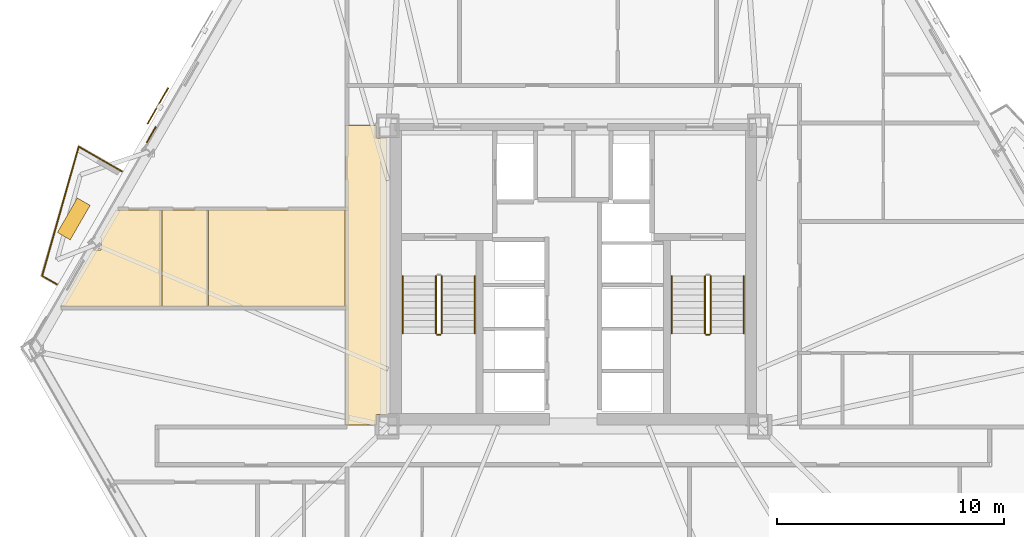
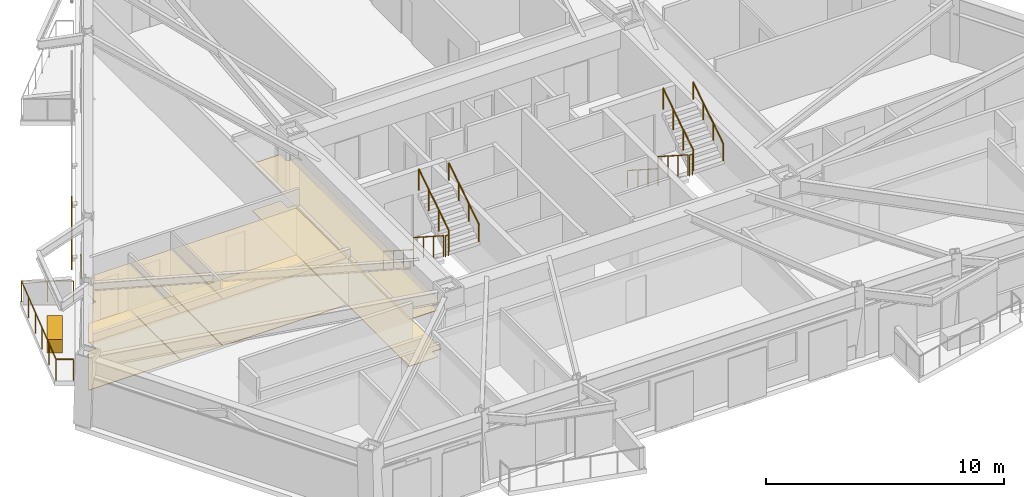
# One storey, part 8 of 10: 13 railings, 10 coverings, 1 shading device.
"""IFC4 building model written with IfcOpenShell, lengths in metres."""

from ifc_helpers import new_model, si_unit, direction, frame, origin, origin_2d, place, context, subcontext, project, spatial, polyline, rectangle, circle, outline, extrude, material, layer, layer_set, type_object, element, save


model = new_model("IFC4")

# Units and contexts
model_context = context("Model", 3, precision=1e-05, world=origin(), true_north=direction((0.0, 1.0)))
body_context = subcontext(model_context, "Body", "Model", "MODEL_VIEW")
ifc_project = project(units=[si_unit("LENGTHUNIT", "METRE"), si_unit("AREAUNIT", "SQUARE_METRE"), si_unit("VOLUMEUNIT", "CUBIC_METRE"), si_unit("PLANEANGLEUNIT", "RADIAN"), si_unit("MASSUNIT", "GRAM", prefix="KILO")], contexts=[model_context])

# Site, building, storey
site_placement = place(None, origin())
site = spatial("IfcSite", under=ifc_project, at=site_placement, CompositionType="ELEMENT")
building_placement = place(site_placement, origin())
building = spatial("IfcBuilding", under=site, at=building_placement, Name="Oramaril Tower", CompositionType="ELEMENT")
storey_placement = place(building_placement, frame((0.0, 0.0, 63.300048828125)))
storey = spatial("IfcBuildingStorey", under=building, at=storey_placement, Name="L16", CompositionType="ELEMENT", Elevation=63.300048828125)

# Coverings
ifc_material_1 = material(Name="Mineral Fibre Acoustic Ceiling")
ifc_layer_1 = layer(ifc_material_1, 0.02001953125)
ifc_layer_set_1 = layer_set([ifc_layer_1], Name="CVT-CEIL")
covering_type_1 = type_object("IfcCoveringType", Name="CVT-CEIL", PredefinedType="CEILING", material=ifc_layer_set_1)
covering_1_placement = place(storey_placement, frame((0.0, 0.0, 2.39990234375)))
element("IfcCovering", 1, at=covering_1_placement, inside=storey, type_object=covering_type_1, Name="L16 Acoustic Suspended Ceiling 3", PredefinedType="CEILING", context=body_context, shape_type="SweptSolid", body=[
    extrude(outline(polyline([(28.85498046875, 23.655029296875), (29.280029296875, 23.655029296875), (29.280029296875, 11.4951171875), (28.85498046875, 11.4951171875), (28.85498046875, 11.050048828125), (27.469970703125, 11.050048828125), (27.469970703125, 24.219970703125), (28.85498046875, 24.219970703125), (28.85498046875, 23.655029296875)])), origin(), (0.0, 0.0, 1.0), 0.02001953125),
])
covering_2_placement = place(storey_placement, frame((0.0, 0.0, 2.39990234375)))
element("IfcCovering", 2, at=covering_2_placement, inside=storey, type_object=covering_type_1, Name="L16 Acoustic Suspended Ceiling 14", PredefinedType="CEILING", context=body_context, shape_type="SweptSolid", body=[
    extrude(outline(polyline([(16.7255859375, 18.73828125), (16.7255859375, 19.286376953125), (16.682373046875, 19.286376953125), (17.377685546875, 20.49072265625), (17.378173828125, 20.490478515625), (17.3798828125, 20.489501953125), (17.3818359375, 20.489013671875), (17.3837890625, 20.48828125), (17.3857421875, 20.488037109375), (17.3876953125, 20.488037109375), (19.392578125, 20.488037109375), (19.392578125, 16.261962890625), (14.936279296875, 16.261962890625), (16.365966796875, 18.73828125), (16.7255859375, 18.73828125)])), origin(), (0.0, 0.0, 1.0), 0.02001953125),
])
covering_3_placement = place(storey_placement, frame((0.0, 0.0, 2.39990234375)))
element("IfcCovering", 3, at=covering_3_placement, inside=storey, type_object=covering_type_1, Name="L16 Acoustic Suspended Ceiling 15", PredefinedType="CEILING", context=body_context, shape_type="SweptSolid", body=[
    extrude(outline(polyline([(21.4423828125, 16.261962890625), (19.41259765625, 16.261962890625), (19.41259765625, 20.488037109375), (21.4423828125, 20.488037109375), (21.4423828125, 16.261962890625)])), origin(), (0.0, 0.0, 1.0), 0.02001953125),
])
covering_4_placement = place(storey_placement, frame((0.0, 0.0, 2.39990234375)))
element("IfcCovering", 4, at=covering_4_placement, inside=storey, type_object=covering_type_1, Name="L16 Acoustic Suspended Ceiling 16", PredefinedType="CEILING", context=body_context, shape_type="SweptSolid", body=[
    extrude(outline(polyline([(21.46240234375, 20.488037109375), (27.449951171875, 20.488037109375), (27.449951171875, 16.261962890625), (21.46240234375, 16.261962890625), (21.46240234375, 20.488037109375)])), origin(), (0.0, 0.0, 1.0), 0.02001953125),
])
ifc_material_2 = material(Name="Warm Cream Limestone", Category="masonry")
ifc_layer_2 = layer(ifc_material_2, 0.050048828125)
ifc_layer_set_2 = layer_set([ifc_layer_2], Name="CVT-CLD")
covering_type_2 = type_object("IfcCoveringType", Name="CVT-CLD", PredefinedType="CLADDING", material=ifc_layer_set_2)
covering_5_placement = place(storey_placement, frame((18.94775390625, 23.81201171875, 0.0400390625), z_axis=(0.0, 0.0, 1.0), x_axis=(-0.4999984885, -0.866026276448, 0.0)))
element("IfcCovering", 5, at=covering_5_placement, inside=storey, type_object=covering_type_2, Name="L16 Warm Cream Limestone Spandrel Cladding", PredefinedType="CLADDING", context=body_context, shape_type="SweptSolid", body=[
    extrude(rectangle(XDim=0.800048828125, YDim=0.050048828125, at=origin_2d()), origin(), (0.0, 0.0, 1.0), 0.679931640625),
])
covering_6_placement = place(storey_placement, frame((15.53369140625, 20.105712890625, 0.0), z_axis=(0.0, 0.0, 1.0), x_axis=(-0.5, -0.866025403784, 0.0)))
element("IfcCovering", 6, at=covering_6_placement, inside=storey, type_object=covering_type_2, Name="L16 Structural Tree Planter Box L16-BAL-NW2", PredefinedType="CLADDING", context=body_context, shape_type="SweptSolid", body=[
    extrude(rectangle(XDim=1.75, YDim=0.64990234375, at=origin_2d()), origin(), (0.0, 0.0, 1.0), 0.699951171875),
])
ifc_material_3 = material(Name="Honed Quartzite Stone Flooring", Category="masonry")
ifc_layer_3 = layer(ifc_material_3, 0.02490234375)
ifc_layer_set_3 = layer_set([ifc_layer_3], Name="CVT-FLR")
covering_type_3 = type_object("IfcCoveringType", Name="CVT-FLR", PredefinedType="FLOORING", material=ifc_layer_set_3)
covering_7_placement = place(storey_placement, origin())
element("IfcCovering", 7, at=covering_7_placement, inside=storey, type_object=covering_type_3, Name="L16 Honed Stone Floor Finish 3", PredefinedType="FLOORING", context=body_context, shape_type="SweptSolid", body=[
    extrude(outline(polyline([(28.85498046875, 23.655029296875), (29.280029296875, 23.655029296875), (29.280029296875, 11.4951171875), (28.85498046875, 11.4951171875), (28.85498046875, 11.050048828125), (27.469970703125, 11.050048828125), (27.469970703125, 24.219970703125), (28.85498046875, 24.219970703125), (28.85498046875, 23.655029296875)])), origin(), (0.0, 0.0, 1.0), 0.02490234375),
])
covering_8_placement = place(storey_placement, origin())
element("IfcCovering", 8, at=covering_8_placement, inside=storey, type_object=covering_type_3, Name="L16 Honed Stone Floor Finish 14", PredefinedType="FLOORING", context=body_context, shape_type="SweptSolid", body=[
    extrude(outline(polyline([(16.7255859375, 18.73828125), (16.7255859375, 19.286376953125), (16.682373046875, 19.286376953125), (17.377685546875, 20.49072265625), (17.378173828125, 20.490478515625), (17.3798828125, 20.489501953125), (17.3818359375, 20.489013671875), (17.3837890625, 20.48828125), (17.3857421875, 20.488037109375), (17.3876953125, 20.488037109375), (19.392578125, 20.488037109375), (19.392578125, 16.261962890625), (14.936279296875, 16.261962890625), (16.365966796875, 18.73828125), (16.7255859375, 18.73828125)])), origin(), (0.0, 0.0, 1.0), 0.02490234375),
])
covering_9_placement = place(storey_placement, origin())
element("IfcCovering", 9, at=covering_9_placement, inside=storey, type_object=covering_type_3, Name="L16 Honed Stone Floor Finish 15", PredefinedType="FLOORING", context=body_context, shape_type="SweptSolid", body=[
    extrude(outline(polyline([(21.4423828125, 16.261962890625), (19.41259765625, 16.261962890625), (19.41259765625, 20.488037109375), (21.4423828125, 20.488037109375), (21.4423828125, 16.261962890625)])), origin(), (0.0, 0.0, 1.0), 0.02490234375),
])
covering_10_placement = place(storey_placement, origin())
element("IfcCovering", 10, at=covering_10_placement, inside=storey, type_object=covering_type_3, Name="L16 Honed Stone Floor Finish 16", PredefinedType="FLOORING", context=body_context, shape_type="SweptSolid", body=[
    extrude(outline(polyline([(21.46240234375, 20.488037109375), (27.449951171875, 20.488037109375), (27.449951171875, 16.261962890625), (21.46240234375, 16.261962890625), (21.46240234375, 20.488037109375)])), origin(), (0.0, 0.0, 1.0), 0.02490234375),
])

# Railings
ifc_material_4 = material(Name="Stainless Steel 316L", Category="steel")
railing_type_1 = type_object("IfcRailingType", Name="RLT-GRD", PredefinedType="GUARDRAIL", material=ifc_material_4)
railing_1_placement = place(storey_placement, frame((14.7841796875, 17.23046875, 0.0)))
element("IfcRailing", 11, at=railing_1_placement, inside=storey, type_object=railing_type_1, Name="L16 Balcony Guardrail L16-BAL-NW2.1", PredefinedType="GUARDRAIL", context=body_context, shape_type="SweptSolid", body=[
    extrude(circle(Radius=0.02392578125, at=origin_2d()), frame((0.0, 0.0, 1.076171875), z_axis=(-0.865966403178, 0.500102178127, 0.0), x_axis=(-0.500102178127, -0.865966403178, 0.0)), (0.0, 0.0, 1.0), 0.741943359375),
    extrude(circle(Radius=0.02099609375, at=origin_2d()), origin(), (0.0, 0.0, 1.0), 1.052001953125),
    extrude(circle(Radius=0.02099609375, at=origin_2d()), frame((-0.642578125, 0.37109375, 0.0)), (0.0, 0.0, 1.0), 1.052001953125),
])
railing_2_placement = place(storey_placement, frame((14.1416015625, 17.6015625, 0.0)))
element("IfcRailing", 12, at=railing_2_placement, inside=storey, type_object=railing_type_1, Name="L16 Balcony Guardrail L16-BAL-NW2.2", PredefinedType="GUARDRAIL", context=body_context, shape_type="SweptSolid", body=[
    extrude(circle(Radius=0.02392578125, at=origin_2d()), frame((0.0, 0.0, 1.076171875), z_axis=(0.27224886544, 0.962226873074, 0.0), x_axis=(-0.962226873074, 0.27224886544, 0.0)), (0.0, 0.0, 1.0), 5.910400390625),
    extrude(circle(Radius=0.02099609375, at=origin_2d()), origin(), (0.0, 0.0, 1.0), 1.052001953125),
    extrude(circle(Radius=0.02099609375, at=origin_2d()), frame((0.32177734375, 1.137451171875, 0.0)), (0.0, 0.0, 1.0), 1.052001953125),
    extrude(circle(Radius=0.02099609375, at=origin_2d()), frame((0.6435546875, 2.27490234375, 0.0)), (0.0, 0.0, 1.0), 1.052001953125),
    extrude(circle(Radius=0.02099609375, at=origin_2d()), frame((0.965576171875, 3.412353515625, 0.0)), (0.0, 0.0, 1.0), 1.052001953125),
    extrude(circle(Radius=0.02099609375, at=origin_2d()), frame((1.287353515625, 4.5498046875, 0.0)), (0.0, 0.0, 1.0), 1.052001953125),
    extrude(circle(Radius=0.02099609375, at=origin_2d()), frame((1.609130859375, 5.687255859375, 0.0)), (0.0, 0.0, 1.0), 1.052001953125),
])
railing_3_placement = place(storey_placement, frame((15.750732421875, 23.288818359375, 0.0)))
element("IfcRailing", 13, at=railing_3_placement, inside=storey, type_object=railing_type_1, Name="L16 Balcony Guardrail L16-BAL-NW2.3", PredefinedType="GUARDRAIL", context=body_context, shape_type="SweptSolid", body=[
    extrude(circle(Radius=0.02392578125, at=origin_2d()), frame((0.0, 0.0, 1.076171875), z_axis=(0.866000118559, -0.500043792738, 0.0), x_axis=(0.500043792738, 0.866000118559, 0.0)), (0.0, 0.0, 1.0), 2.192138671875),
    extrude(circle(Radius=0.02099609375, at=origin_2d()), origin(), (0.0, 0.0, 1.0), 1.052001953125),
    extrude(circle(Radius=0.02099609375, at=origin_2d()), frame((0.94921875, -0.548095703125, 0.0)), (0.0, 0.0, 1.0), 1.052001953125),
    extrude(circle(Radius=0.02099609375, at=origin_2d()), frame((1.8984375, -1.09619140625, 0.0)), (0.0, 0.0, 1.0), 1.052001953125),
])
railing_4_placement = place(storey_placement, frame((31.4599609375, 17.590087890625, 0.179931640625)))
element("IfcRailing", 14, at=railing_4_placement, inside=storey, type_object=railing_type_1, Name="L16 ST-1 stair guard 1", PredefinedType="GUARDRAIL", context=body_context, shape_type="SweptSolid", body=[
    extrude(circle(Radius=0.02392578125, at=origin_2d()), frame((0.0, 0.0, 1.076171875), z_axis=(0.0, -0.841162588446, 0.540782303519), x_axis=(1.0, 0.0, 0.0)), (0.0, 0.0, 1.0), 2.995849609375),
    extrude(circle(Radius=0.02099609375, at=origin_2d()), origin(), (0.0, 0.0, 1.0), 1.052001953125),
    extrude(circle(Radius=0.02099609375, at=origin_2d()), frame((0.0, -0.840087890625, 0.5400390625)), (0.0, 0.0, 1.0), 1.052001953125),
    extrude(circle(Radius=0.02099609375, at=origin_2d()), frame((0.0, -1.679931640625, 1.080078125)), (0.0, 0.0, 1.0), 1.052001953125),
    extrude(circle(Radius=0.02099609375, at=origin_2d()), frame((0.0, -2.52001953125, 1.6201171875)), (0.0, 0.0, 1.0), 1.052001953125),
])
railing_5_placement = place(storey_placement, frame((31.510009765625, 15.02001953125, 1.800048828125)))
element("IfcRailing", 15, at=railing_5_placement, inside=storey, type_object=railing_type_1, Name="L16 ST-1 stair guard 2", PredefinedType="GUARDRAIL", context=body_context, shape_type="SweptSolid", body=[
    extrude(circle(Radius=0.02392578125, at=origin_2d()), frame((0.0, 0.0, 1.076171875), z_axis=(1.0, 0.0, 0.0), x_axis=(0.0, 1.0, 0.0)), (0.0, 0.0, 1.0), 0.14990234375),
    extrude(circle(Radius=0.02099609375, at=origin_2d()), origin(), (0.0, 0.0, 1.0), 1.052001953125),
    extrude(circle(Radius=0.02099609375, at=origin_2d()), frame((0.14990234375, 0.0, 0.0)), (0.0, 0.0, 1.0), 1.052001953125),
])
railing_6_placement = place(storey_placement, frame((31.7099609375, 15.070068359375, 1.97998046875)))
element("IfcRailing", 16, at=railing_6_placement, inside=storey, type_object=railing_type_1, Name="L16 ST-1 stair guard 3", PredefinedType="GUARDRAIL", context=body_context, shape_type="SweptSolid", body=[
    extrude(circle(Radius=0.02392578125, at=origin_2d()), frame((0.0, 0.0, 1.076171875), z_axis=(0.0, 0.841199657755, 0.540724639528), x_axis=(-1.0, 0.0, 0.0)), (0.0, 0.0, 1.0), 2.995849609375),
    extrude(circle(Radius=0.02099609375, at=origin_2d()), origin(), (0.0, 0.0, 1.0), 1.052001953125),
    extrude(circle(Radius=0.02099609375, at=origin_2d()), frame((0.0, 0.840087890625, 0.5400390625)), (0.0, 0.0, 1.0), 1.052001953125),
    extrude(circle(Radius=0.02099609375, at=origin_2d()), frame((0.0, 1.679931640625, 1.079833984375)), (0.0, 0.0, 1.0), 1.052001953125),
    extrude(circle(Radius=0.02099609375, at=origin_2d()), frame((0.0, 2.52001953125, 1.619873046875)), (0.0, 0.0, 1.0), 1.052001953125),
])
railing_7_placement = place(storey_placement, frame((43.2900390625, 17.590087890625, 0.179931640625)))
element("IfcRailing", 17, at=railing_7_placement, inside=storey, type_object=railing_type_1, Name="L16 ST-2 stair guard 1", PredefinedType="GUARDRAIL", context=body_context, shape_type="SweptSolid", body=[
    extrude(circle(Radius=0.02392578125, at=origin_2d()), frame((0.0, 0.0, 1.076171875), z_axis=(0.0, -0.841162588446, 0.540782303519), x_axis=(1.0, 0.0, 0.0)), (0.0, 0.0, 1.0), 2.995849609375),
    extrude(circle(Radius=0.02099609375, at=origin_2d()), origin(), (0.0, 0.0, 1.0), 1.052001953125),
    extrude(circle(Radius=0.02099609375, at=origin_2d()), frame((0.0, -0.840087890625, 0.5400390625)), (0.0, 0.0, 1.0), 1.052001953125),
    extrude(circle(Radius=0.02099609375, at=origin_2d()), frame((0.0, -1.679931640625, 1.080078125)), (0.0, 0.0, 1.0), 1.052001953125),
    extrude(circle(Radius=0.02099609375, at=origin_2d()), frame((0.0, -2.52001953125, 1.6201171875)), (0.0, 0.0, 1.0), 1.052001953125),
])
railing_8_placement = place(storey_placement, frame((43.340087890625, 15.02001953125, 1.800048828125)))
element("IfcRailing", 18, at=railing_8_placement, inside=storey, type_object=railing_type_1, Name="L16 ST-2 stair guard 2", PredefinedType="GUARDRAIL", context=body_context, shape_type="SweptSolid", body=[
    extrude(circle(Radius=0.02392578125, at=origin_2d()), frame((0.0, 0.0, 1.076171875), z_axis=(1.0, 0.0, 0.0), x_axis=(0.0, 1.0, 0.0)), (0.0, 0.0, 1.0), 0.14990234375),
    extrude(circle(Radius=0.02099609375, at=origin_2d()), origin(), (0.0, 0.0, 1.0), 1.052001953125),
    extrude(circle(Radius=0.02099609375, at=origin_2d()), frame((0.14990234375, 0.0, 0.0)), (0.0, 0.0, 1.0), 1.052001953125),
])
railing_9_placement = place(storey_placement, frame((43.5400390625, 15.070068359375, 1.97998046875)))
element("IfcRailing", 19, at=railing_9_placement, inside=storey, type_object=railing_type_1, Name="L16 ST-2 stair guard 3", PredefinedType="GUARDRAIL", context=body_context, shape_type="SweptSolid", body=[
    extrude(circle(Radius=0.02392578125, at=origin_2d()), frame((0.0, 0.0, 1.076171875), z_axis=(0.0, 0.841199657755, 0.540724639528), x_axis=(-1.0, 0.0, 0.0)), (0.0, 0.0, 1.0), 2.995849609375),
    extrude(circle(Radius=0.02099609375, at=origin_2d()), origin(), (0.0, 0.0, 1.0), 1.052001953125),
    extrude(circle(Radius=0.02099609375, at=origin_2d()), frame((0.0, 0.840087890625, 0.5400390625)), (0.0, 0.0, 1.0), 1.052001953125),
    extrude(circle(Radius=0.02099609375, at=origin_2d()), frame((0.0, 1.679931640625, 1.079833984375)), (0.0, 0.0, 1.0), 1.052001953125),
    extrude(circle(Radius=0.02099609375, at=origin_2d()), frame((0.0, 2.52001953125, 1.619873046875)), (0.0, 0.0, 1.0), 1.052001953125),
])
ifc_material_5 = material(Name="Stainless Steel 316L", Category="steel")
railing_type_2 = type_object("IfcRailingType", Name="RLT-HND", PredefinedType="HANDRAIL", material=ifc_material_5)
railing_10_placement = place(storey_placement, frame((30.0, 17.590087890625, 0.179931640625)))
element("IfcRailing", 20, at=railing_10_placement, inside=storey, type_object=railing_type_2, Name="L16 ST-1 stair handrail 1", PredefinedType="HANDRAIL", context=body_context, shape_type="SweptSolid", body=[
    extrude(circle(Radius=0.02392578125, at=origin_2d()), frame((0.0, 0.0, 0.8759765625), z_axis=(0.0, -0.841162588446, 0.540782303519), x_axis=(1.0, 0.0, 0.0)), (0.0, 0.0, 1.0), 2.995849609375),
    extrude(circle(Radius=0.02099609375, at=origin_2d()), origin(), (0.0, 0.0, 1.0), 0.851806640625),
    extrude(circle(Radius=0.02099609375, at=origin_2d()), frame((0.0, -0.840087890625, 0.5400390625)), (0.0, 0.0, 1.0), 0.851806640625),
    extrude(circle(Radius=0.02099609375, at=origin_2d()), frame((0.0, -1.679931640625, 1.080078125)), (0.0, 0.0, 1.0), 0.851806640625),
    extrude(circle(Radius=0.02099609375, at=origin_2d()), frame((0.0, -2.52001953125, 1.6201171875)), (0.0, 0.0, 1.0), 0.851806640625),
])
railing_11_placement = place(storey_placement, frame((33.169921875, 15.070068359375, 1.97998046875)))
element("IfcRailing", 21, at=railing_11_placement, inside=storey, type_object=railing_type_2, Name="L16 ST-1 stair handrail 2", PredefinedType="HANDRAIL", context=body_context, shape_type="SweptSolid", body=[
    extrude(circle(Radius=0.02392578125, at=origin_2d()), frame((0.0, 0.0, 0.8759765625), z_axis=(0.0, 0.841199657755, 0.540724639528), x_axis=(-1.0, 0.0, 0.0)), (0.0, 0.0, 1.0), 2.995849609375),
    extrude(circle(Radius=0.02099609375, at=origin_2d()), origin(), (0.0, 0.0, 1.0), 0.851806640625),
    extrude(circle(Radius=0.02099609375, at=origin_2d()), frame((0.0, 0.840087890625, 0.5400390625)), (0.0, 0.0, 1.0), 0.851806640625),
    extrude(circle(Radius=0.02099609375, at=origin_2d()), frame((0.0, 1.679931640625, 1.079833984375)), (0.0, 0.0, 1.0), 0.851806640625),
    extrude(circle(Radius=0.02099609375, at=origin_2d()), frame((0.0, 2.52001953125, 1.619873046875)), (0.0, 0.0, 1.0), 0.851806640625),
])
railing_12_placement = place(storey_placement, frame((41.830078125, 17.590087890625, 0.179931640625)))
element("IfcRailing", 22, at=railing_12_placement, inside=storey, type_object=railing_type_2, Name="L16 ST-2 stair handrail 1", PredefinedType="HANDRAIL", context=body_context, shape_type="SweptSolid", body=[
    extrude(circle(Radius=0.02392578125, at=origin_2d()), frame((0.0, 0.0, 0.8759765625), z_axis=(0.0, -0.841162588446, 0.540782303519), x_axis=(1.0, 0.0, 0.0)), (0.0, 0.0, 1.0), 2.995849609375),
    extrude(circle(Radius=0.02099609375, at=origin_2d()), origin(), (0.0, 0.0, 1.0), 0.851806640625),
    extrude(circle(Radius=0.02099609375, at=origin_2d()), frame((0.0, -0.840087890625, 0.5400390625)), (0.0, 0.0, 1.0), 0.851806640625),
    extrude(circle(Radius=0.02099609375, at=origin_2d()), frame((0.0, -1.679931640625, 1.080078125)), (0.0, 0.0, 1.0), 0.851806640625),
    extrude(circle(Radius=0.02099609375, at=origin_2d()), frame((0.0, -2.52001953125, 1.6201171875)), (0.0, 0.0, 1.0), 0.851806640625),
])
railing_13_placement = place(storey_placement, frame((45.0, 15.070068359375, 1.97998046875)))
element("IfcRailing", 23, at=railing_13_placement, inside=storey, type_object=railing_type_2, Name="L16 ST-2 stair handrail 2", PredefinedType="HANDRAIL", context=body_context, shape_type="SweptSolid", body=[
    extrude(circle(Radius=0.02392578125, at=origin_2d()), frame((0.0, 0.0, 0.8759765625), z_axis=(0.0, 0.841199657755, 0.540724639528), x_axis=(-1.0, 0.0, 0.0)), (0.0, 0.0, 1.0), 2.995849609375),
    extrude(circle(Radius=0.02099609375, at=origin_2d()), origin(), (0.0, 0.0, 1.0), 0.851806640625),
    extrude(circle(Radius=0.02099609375, at=origin_2d()), frame((0.0, 0.840087890625, 0.5400390625)), (0.0, 0.0, 1.0), 0.851806640625),
    extrude(circle(Radius=0.02099609375, at=origin_2d()), frame((0.0, 1.679931640625, 1.079833984375)), (0.0, 0.0, 1.0), 0.851806640625),
    extrude(circle(Radius=0.02099609375, at=origin_2d()), frame((0.0, 2.52001953125, 1.619873046875)), (0.0, 0.0, 1.0), 0.851806640625),
])

# Shading device
shading_device_placement = place(storey_placement, frame((19.232421875, 25.0791015625, -0.02001953125), z_axis=(0.0, 0.0, 1.0), x_axis=(-0.4999984885, -0.866026276448, 0.0)))
element("IfcShadingDevice", 24, at=shading_device_placement, inside=storey, Name="L16 Perforated Ceramic Solar Screen", ObjectType="SCREEN", PredefinedType="USERDEFINED", context=body_context, shape_type="SweptSolid", body=[
    extrude(rectangle(XDim=1.8330078125, YDim=0.050048828125, at=origin_2d()), origin(), (0.0, 0.0, 1.0), 2.493896484375),
])

save(model, "model.ifc")
